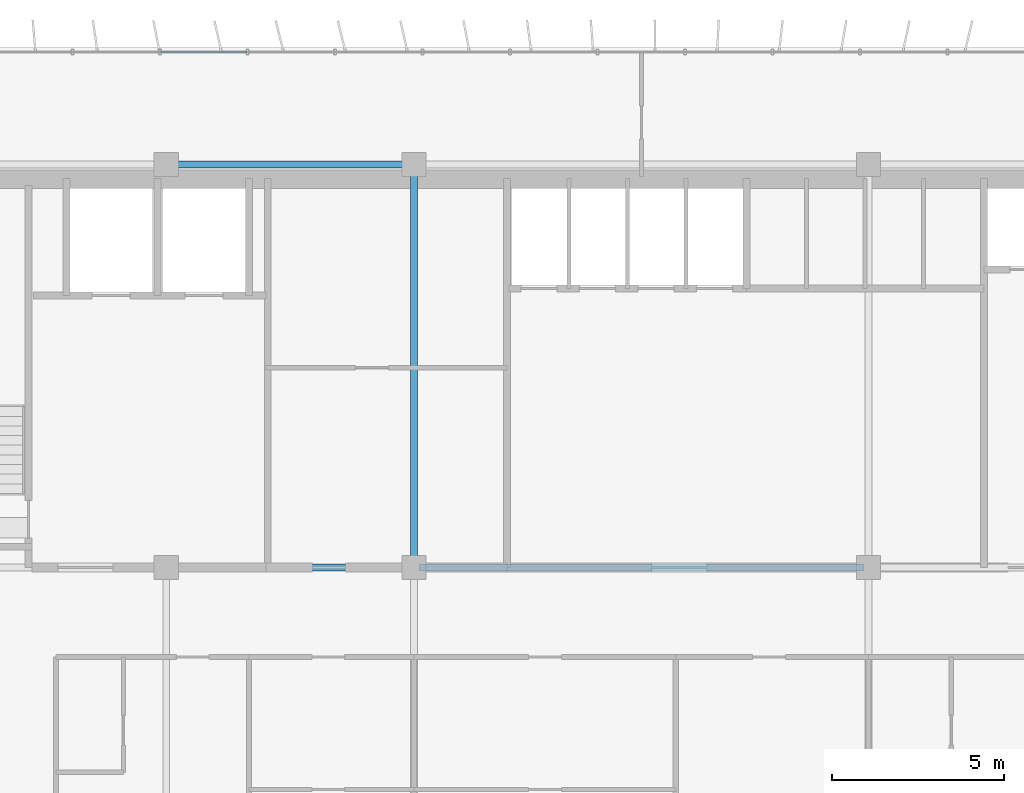
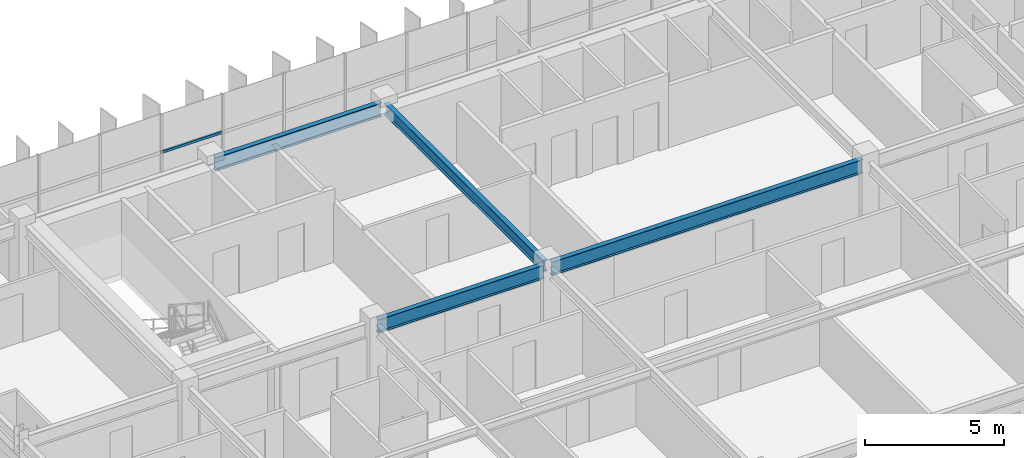
# One storey, part 8 of 24: 4 beams, 1 member, 1 element without a shape of its own.
"""IFC4 building model written with IfcOpenShell, lengths in metres."""

from ifc_helpers import new_model, si_unit, direction, frame, origin, origin_2d, place, context, subcontext, project, spatial, hollow_rectangle, i_section, extrude, source, transform, mapped, material, material_profile, profile_set, type_object, element, aggregate, save


model = new_model("IFC4")

# Units and contexts
model_context = context("Model", 3, precision=1e-05, world=origin(), true_north=direction((0.0, 1.0)))
body_context = subcontext(model_context, "Body", "Model", "MODEL_VIEW")
ifc_project = project(units=[si_unit("LENGTHUNIT", "METRE"), si_unit("AREAUNIT", "SQUARE_METRE"), si_unit("VOLUMEUNIT", "CUBIC_METRE"), si_unit("PLANEANGLEUNIT", "RADIAN"), si_unit("MASSUNIT", "GRAM", prefix="KILO")], contexts=[model_context])

# Site, building, storey
site_placement = place(None, origin())
site = spatial("IfcSite", under=ifc_project, at=site_placement, CompositionType="ELEMENT")
building_placement = place(site_placement, origin())
building = spatial("IfcBuilding", under=site, at=building_placement, Name="Trelvane Seafront Commons", CompositionType="ELEMENT")
storey_placement = place(building_placement, frame((0.0, 0.0, 178.89990234375)))
storey = spatial("IfcBuildingStorey", under=building, at=storey_placement, Name="L47", CompositionType="ELEMENT", Elevation=178.89990234375)

# Beams
ifc_material_1 = material(Name="Steel SM355 (S355)", Category="steel")
ifc_material_profile_1 = material_profile(ifc_material_1, i_section(OverallWidth=0.199951171875, OverallDepth=0.5, WebThickness=0.010009765625, FlangeThickness=0.01611328125, at=origin_2d()), Name="H-500x200x10x16")
ifc_profile_set_1 = profile_set([ifc_material_profile_1], Name="Steel SM355 (S355)")
beam_type_1 = type_object("IfcBeamType", Name="STR-BM-H500", PredefinedType="BEAM", material=ifc_profile_set_1)
shared_shape_1 = source(origin(), body_context, "Body", "SweptSolid", [
    extrude(i_section(OverallWidth=0.199951171875, OverallDepth=0.5, WebThickness=0.010009765625, FlangeThickness=0.01611328125, at=origin_2d()), origin(), (0.0, 0.0, 1.0), 11.39990234375),
])
beam_1_placement = place(storey_placement, frame((30.60009765625, 33.550048828125, 2.97021484375), z_axis=(0.0, 1.0, 0.0), x_axis=(-1.0, 0.0, 0.0)))
element("IfcBeam", 1, at=beam_1_placement, inside=storey, type_object=beam_type_1, Name="L47 Primary Girder G-40", PredefinedType="BEAM", context=body_context, shape_type="MappedRepresentation", body=[
    mapped(shared_shape_1, transform((0.0, 0.0, 0.0), x_axis=(1.0, 0.0, 0.0), y_axis=(0.0, 1.0, 0.0), z_axis=(0.0, 0.0, 1.0), scale=1.0)),
])
ifc_material_profile_2 = material_profile(ifc_material_1, i_section(OverallWidth=0.199951171875, OverallDepth=0.60009765625, WebThickness=0.010986328125, FlangeThickness=0.01708984375, at=origin_2d()), Name="H-600x200x11x17")
ifc_profile_set_2 = profile_set([ifc_material_profile_2], Name="Steel SM355 (S355)")
beam_type_2 = type_object("IfcBeamType", Name="STR-SPD-H600", PredefinedType="SPANDREL", material=ifc_profile_set_2)
shared_shape_2 = source(origin(), body_context, "Body", "SweptSolid", [
    extrude(i_section(OverallWidth=0.199951171875, OverallDepth=0.60009765625, WebThickness=0.010986328125, FlangeThickness=0.01708984375, at=origin_2d()), origin(), (0.0, 0.0, 1.0), 12.89990234375),
])
beam_2_placement = place(storey_placement, frame((30.75, 33.39990234375, 2.920166015625), z_axis=(1.0, 0.0, 0.0), x_axis=(0.0, 1.0, 0.0)))
element("IfcBeam", 2, at=beam_2_placement, inside=storey, type_object=beam_type_2, Name="L47 Primary Girder G-18", PredefinedType="SPANDREL", context=body_context, shape_type="MappedRepresentation", body=[
    mapped(shared_shape_2, transform((0.0, 0.0, 0.0), x_axis=(1.0, 0.0, 0.0), y_axis=(0.0, 1.0, 0.0), z_axis=(0.0, 0.0, 1.0), scale=1.0)),
])
shared_shape_3 = source(origin(), body_context, "Body", "SweptSolid", [
    extrude(i_section(OverallWidth=0.199951171875, OverallDepth=0.60009765625, WebThickness=0.010986328125, FlangeThickness=0.01708984375, at=origin_2d()), origin(), (0.0, 0.0, 1.0), 6.89990234375),
])
for number, where, z_axis, x_axis, name in (
    (3, (23.550048828125, 33.39990234375, 2.920166015625), (1.0, 0.0, 0.0), (0.0, 1.0, 0.0), "L47 Primary Girder G-17"),
    (4, (23.550048828125, 45.10009765625, 2.920166015625), (1.0, 0.0, 0.0), (0.0, 1.0, 0.0), "L47 Primary Girder G-24"),
):
    element("IfcBeam", number, at=place(storey_placement, frame(where, z_axis=z_axis, x_axis=x_axis)), inside=storey, type_object=beam_type_2, Name=name, PredefinedType="SPANDREL", context=body_context, shape_type="MappedRepresentation", body=[
        mapped(shared_shape_3, transform((0.0, 0.0, 0.0), x_axis=(1.0, 0.0, 0.0), y_axis=(0.0, 1.0, 0.0), z_axis=(0.0, 0.0, 1.0), scale=1.0)),
    ])

# Curtain wall, member
ifc_material_2 = material(Name="Anodised pale-silver aluminium", Category="aluminium")
curtain_wall_type = type_object("IfcCurtainWallType", Name="ARCH-CW5-UPTOWER", PredefinedType="NOTDEFINED", material=ifc_material_2)
curtain_wall_placement = place(storey_placement, origin())
curtain_wall = element("IfcCurtainWall", 5, at=curtain_wall_placement, inside=storey, type_object=curtain_wall_type, Name="CW-L47-0075", PredefinedType="NOTDEFINED")
ifc_material_profile_3 = material_profile(ifc_material_2, hollow_rectangle(XDim=0.070068359375, YDim=0.1201171875, WallThickness=0.00390625, at=origin_2d()), Name="TRAN-70x120x4")
ifc_profile_set_3 = profile_set([ifc_material_profile_3], Name="Anodised pale-silver aluminium")
member_type = type_object("IfcMemberType", Name="ARCH-CW-TRAN-120", PredefinedType="USERDEFINED", material=ifc_profile_set_3)
shared_shape_4 = source(origin(), body_context, "Body", "SweptSolid", [
    extrude(hollow_rectangle(XDim=0.070068359375, YDim=0.1201171875, WallThickness=0.00390625, at=origin_2d()), origin(), (0.0, 0.0, 1.0), 2.51708984375),
])
member_placement = place(storey_placement, frame((23.235595703125, 48.3701171875, 1.546142578125), z_axis=(1.0, 0.0, 0.0), x_axis=(0.0, 1.0, 0.0)))
member = element("IfcMember", 6, at=member_placement, type_object=member_type, Name="CW-L47-0075-T03", ObjectType="TRANSOM", PredefinedType="USERDEFINED", context=body_context, shape_type="MappedRepresentation", body=[
    mapped(shared_shape_4, transform((0.0, 0.0, 0.0), x_axis=(1.0, 0.0, 0.0), y_axis=(0.0, 1.0, 0.0), z_axis=(0.0, 0.0, 1.0), scale=1.0)),
])
aggregate(curtain_wall, [member])

save(model, "model.ifc")
